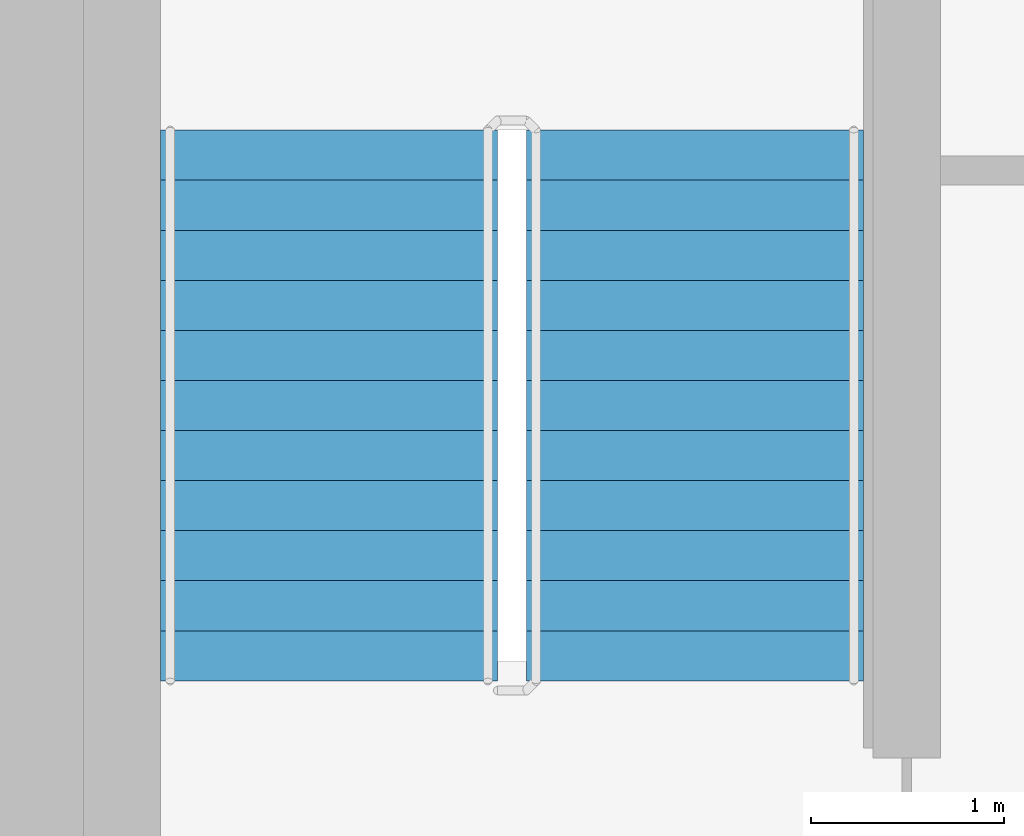
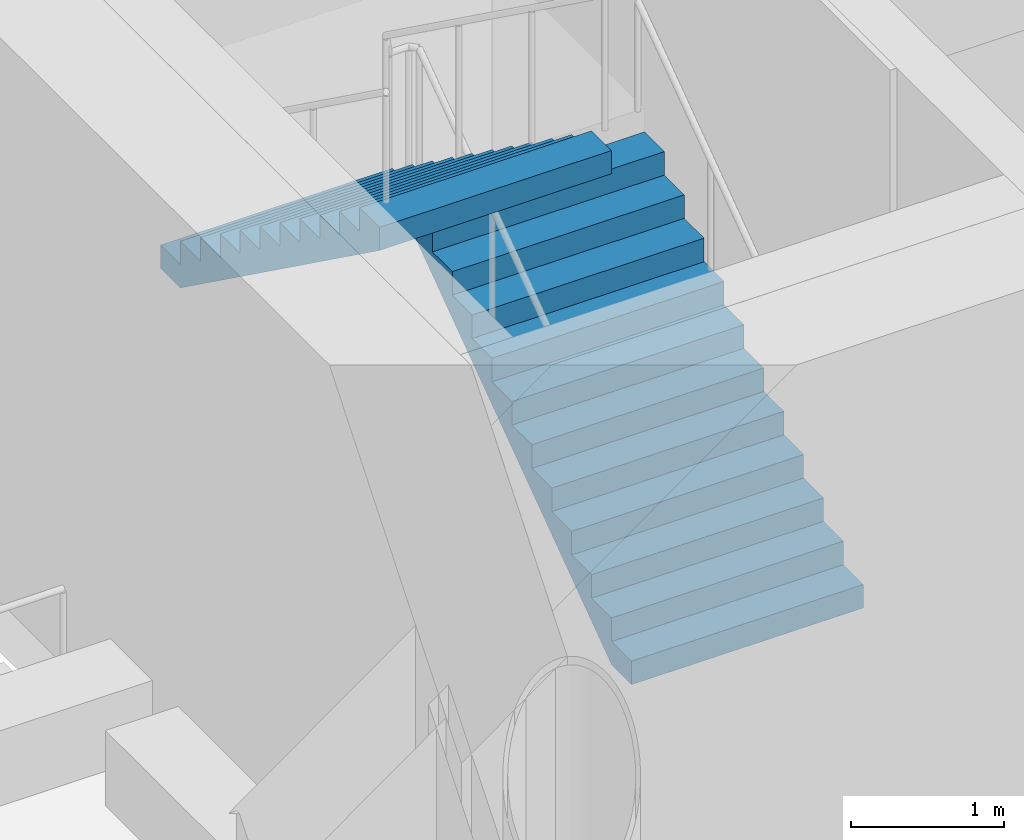
# One storey, part 21 of 26: 2 stair flights, 1 element without a shape of its own.
"""IFC4 building model written with IfcOpenShell, lengths in metres."""

from ifc_helpers import new_model, si_unit, direction, frame, origin, place, context, subcontext, project, spatial, faceted_brep, material, type_object, element, aggregate, save


model = new_model("IFC4")

# Units and contexts
model_context = context("Model", 3, precision=1e-05, world=origin(), true_north=direction((0.0, 1.0)))
body_context = subcontext(model_context, "Body", "Model", "MODEL_VIEW")
ifc_project = project(units=[si_unit("LENGTHUNIT", "METRE"), si_unit("AREAUNIT", "SQUARE_METRE"), si_unit("VOLUMEUNIT", "CUBIC_METRE"), si_unit("PLANEANGLEUNIT", "RADIAN"), si_unit("MASSUNIT", "GRAM", prefix="KILO")], contexts=[model_context])

# Site, building, storey
site_placement = place(None, origin())
site = spatial("IfcSite", under=ifc_project, at=site_placement, CompositionType="ELEMENT")
building_placement = place(site_placement, origin())
building = spatial("IfcBuilding", under=site, at=building_placement, Name="Ipe Terrace Towers", CompositionType="ELEMENT")
storey_placement = place(building_placement, frame((0.0, 0.0, 181.300048828125)))
storey = spatial("IfcBuildingStorey", under=building, at=storey_placement, Name="L50", CompositionType="ELEMENT", Elevation=181.300048828125)

# Stair, stair flights
ifc_material_1 = material(Name="Concrete C30/37", Category="concrete")
stair_type = type_object("IfcStairType", Name="Protected exit stair", PredefinedType="HALF_TURN_STAIR", material=ifc_material_1)
stair_placement = place(storey_placement, origin())
stair = element("IfcStair", 1, at=stair_placement, inside=storey, type_object=stair_type, Name="L50 Exit stair T2-C1", PredefinedType="HALF_TURN_STAIR")
ifc_material_2 = material(Name="Concrete C30/37", Category="concrete")
stair_flight_type = type_object("IfcStairFlightType", Name="Exit stair flight 1750", PredefinedType="STRAIGHT", material=ifc_material_2)
stair_flight_1_placement = place(storey_placement, frame((33.22509765625, 9.699951171875, 0.0), z_axis=(0.0, 0.0, 1.0), x_axis=(0.0, 1.0, 0.0)))
stair_flight_1 = element("IfcStairFlight", 2, at=stair_flight_1_placement, type_object=stair_flight_type, Name="T2-ST1 flight 1", NumberOfRisers=12, NumberOfTreads=11, PredefinedType="STRAIGHT", RiserHeight=0.1875, TreadLength=0.26, context=body_context, shape_type="Brep", body=[
    faceted_brep([(0.25634765625, -0.875, 0.0), (2.860107421875, -0.875, 1.877685546875), (2.860107421875, -0.875, 2.0625), (2.60009765625, -0.875, 2.0625), (2.60009765625, -0.875, 1.875), (2.340087890625, -0.875, 1.875), (2.340087890625, -0.875, 1.6875), (2.080078125, -0.875, 1.6875), (2.080078125, -0.875, 1.5), (1.820068359375, -0.875, 1.5), (1.820068359375, -0.875, 1.3125), (1.56005859375, -0.875, 1.3125), (1.56005859375, -0.875, 1.125), (1.300048828125, -0.875, 1.125), (1.300048828125, -0.875, 0.9375), (1.0400390625, -0.875, 0.9375), (1.0400390625, -0.875, 0.75), (0.780029296875, -0.875, 0.75), (0.780029296875, -0.875, 0.5625), (0.52001953125, -0.875, 0.5625), (0.52001953125, -0.875, 0.375), (0.260009765625, -0.875, 0.375), (0.260009765625, -0.875, 0.1875), (0.0, -0.875, 0.1875), (0.0, -0.875, 0.0), (0.0, 0.875, 0.0), (0.0, 0.875, 0.1875), (0.260009765625, 0.875, 0.1875), (0.260009765625, 0.875, 0.375), (0.52001953125, 0.875, 0.375), (0.52001953125, 0.875, 0.5625), (0.780029296875, 0.875, 0.5625), (0.780029296875, 0.875, 0.75), (1.0400390625, 0.875, 0.75), (1.0400390625, 0.875, 0.9375), (1.300048828125, 0.875, 0.9375), (1.300048828125, 0.875, 1.125), (1.56005859375, 0.875, 1.125), (1.56005859375, 0.875, 1.3125), (1.820068359375, 0.875, 1.3125), (1.820068359375, 0.875, 1.5), (2.080078125, 0.875, 1.5), (2.080078125, 0.875, 1.6875), (2.340087890625, 0.875, 1.6875), (2.340087890625, 0.875, 1.875), (2.60009765625, 0.875, 1.875), (2.60009765625, 0.875, 2.0625), (2.860107421875, 0.875, 2.0625), (2.860107421875, 0.875, 1.877685546875), (0.25634765625, 0.875, 0.0), (0.0, -0.300048828125, 0.1875), (0.0, -0.1201171875, 0.1875), (0.0, -0.06005859375, 0.1875), (0.0, -0.030029296875, 0.1875), (0.0, -0.010009765625, 0.1875), (0.0, 0.0, 0.1875), (0.0, 0.010009765625, 0.1875), (0.0, 0.030029296875, 0.1875), (0.0, 0.06005859375, 0.1875), (0.0, 0.1201171875, 0.1875), (0.0, 0.300048828125, 0.1875), (0.0, 0.300048828125, 0.0), (0.0, 0.1201171875, 0.0), (0.0, 0.06005859375, 0.0), (0.0, 0.030029296875, 0.0), (0.0, 0.010009765625, 0.0), (0.0, 0.0, 0.0), (0.0, -0.010009765625, 0.0), (0.0, -0.030029296875, 0.0), (0.0, -0.06005859375, 0.0), (0.0, -0.1201171875, 0.0), (0.0, -0.300048828125, 0.0), (0.260009765625, -0.300048828125, 0.1875), (0.260009765625, -0.1201171875, 0.1875), (0.260009765625, -0.06005859375, 0.1875), (0.260009765625, -0.030029296875, 0.1875), (0.260009765625, -0.010009765625, 0.1875), (0.260009765625, 0.0, 0.1875), (0.260009765625, 0.010009765625, 0.1875), (0.260009765625, 0.030029296875, 0.1875), (0.260009765625, 0.06005859375, 0.1875), (0.260009765625, 0.1201171875, 0.1875), (0.260009765625, 0.300048828125, 0.1875), (0.260009765625, -0.300048828125, 0.375), (0.260009765625, -0.1201171875, 0.375), (0.260009765625, -0.06005859375, 0.375), (0.260009765625, -0.030029296875, 0.375), (0.260009765625, -0.010009765625, 0.375), (0.260009765625, 0.0, 0.375), (0.260009765625, 0.010009765625, 0.375), (0.260009765625, 0.030029296875, 0.375), (0.260009765625, 0.06005859375, 0.375), (0.260009765625, 0.1201171875, 0.375), (0.260009765625, 0.300048828125, 0.375), (0.52001953125, -0.300048828125, 0.375), (0.52001953125, -0.1201171875, 0.375), (0.52001953125, -0.06005859375, 0.375), (0.52001953125, -0.030029296875, 0.375), (0.52001953125, -0.010009765625, 0.375), (0.52001953125, 0.0, 0.375), (0.52001953125, 0.010009765625, 0.375), (0.52001953125, 0.030029296875, 0.375), (0.52001953125, 0.06005859375, 0.375), (0.52001953125, 0.1201171875, 0.375), (0.52001953125, 0.300048828125, 0.375), (0.52001953125, -0.300048828125, 0.5625), (0.52001953125, -0.1201171875, 0.5625), (0.52001953125, -0.06005859375, 0.5625), (0.52001953125, -0.030029296875, 0.5625), (0.52001953125, -0.010009765625, 0.5625), (0.52001953125, 0.0, 0.5625), (0.52001953125, 0.010009765625, 0.5625), (0.52001953125, 0.030029296875, 0.5625), (0.52001953125, 0.06005859375, 0.5625), (0.52001953125, 0.1201171875, 0.5625), (0.52001953125, 0.300048828125, 0.5625), (0.780029296875, -0.300048828125, 0.5625), (0.780029296875, -0.1201171875, 0.5625), (0.780029296875, -0.06005859375, 0.5625), (0.780029296875, -0.030029296875, 0.5625), (0.780029296875, -0.010009765625, 0.5625), (0.780029296875, 0.0, 0.5625), (0.780029296875, 0.010009765625, 0.5625), (0.780029296875, 0.030029296875, 0.5625), (0.780029296875, 0.06005859375, 0.5625), (0.780029296875, 0.1201171875, 0.5625), (0.780029296875, 0.300048828125, 0.5625), (0.780029296875, -0.300048828125, 0.75), (0.780029296875, -0.1201171875, 0.75), (0.780029296875, -0.06005859375, 0.75), (0.780029296875, -0.030029296875, 0.75), (0.780029296875, -0.010009765625, 0.75), (0.780029296875, 0.0, 0.75), (0.780029296875, 0.010009765625, 0.75), (0.780029296875, 0.030029296875, 0.75), (0.780029296875, 0.06005859375, 0.75), (0.780029296875, 0.1201171875, 0.75), (0.780029296875, 0.300048828125, 0.75), (1.0400390625, -0.300048828125, 0.75), (1.0400390625, -0.1201171875, 0.75), (1.0400390625, -0.06005859375, 0.75), (1.0400390625, -0.030029296875, 0.75), (1.0400390625, -0.010009765625, 0.75), (1.0400390625, 0.0, 0.75), (1.0400390625, 0.010009765625, 0.75), (1.0400390625, 0.030029296875, 0.75), (1.0400390625, 0.06005859375, 0.75), (1.0400390625, 0.1201171875, 0.75), (1.0400390625, 0.300048828125, 0.75), (1.0400390625, -0.300048828125, 0.9375), (1.0400390625, -0.1201171875, 0.9375), (1.0400390625, -0.06005859375, 0.9375), (1.0400390625, -0.030029296875, 0.9375), (1.0400390625, -0.010009765625, 0.9375), (1.0400390625, 0.0, 0.9375), (1.0400390625, 0.010009765625, 0.9375), (1.0400390625, 0.030029296875, 0.9375), (1.0400390625, 0.06005859375, 0.9375), (1.0400390625, 0.1201171875, 0.9375), (1.0400390625, 0.300048828125, 0.9375), (1.300048828125, -0.300048828125, 0.9375), (1.300048828125, -0.1201171875, 0.9375), (1.300048828125, -0.06005859375, 0.9375), (1.300048828125, -0.030029296875, 0.9375), (1.300048828125, -0.010009765625, 0.9375), (1.300048828125, 0.0, 0.9375), (1.300048828125, 0.010009765625, 0.9375), (1.300048828125, 0.030029296875, 0.9375), (1.300048828125, 0.06005859375, 0.9375), (1.300048828125, 0.1201171875, 0.9375), (1.300048828125, 0.300048828125, 0.9375), (1.300048828125, -0.300048828125, 1.125), (1.300048828125, -0.1201171875, 1.125), (1.300048828125, -0.06005859375, 1.125), (1.300048828125, -0.030029296875, 1.125), (1.300048828125, -0.010009765625, 1.125), (1.300048828125, 0.0, 1.125), (1.300048828125, 0.010009765625, 1.125), (1.300048828125, 0.030029296875, 1.125), (1.300048828125, 0.06005859375, 1.125), (1.300048828125, 0.1201171875, 1.125), (1.300048828125, 0.300048828125, 1.125), (1.56005859375, -0.300048828125, 1.125), (1.56005859375, -0.1201171875, 1.125), (1.56005859375, -0.06005859375, 1.125), (1.56005859375, -0.030029296875, 1.125), (1.56005859375, -0.010009765625, 1.125), (1.56005859375, 0.0, 1.125), (1.56005859375, 0.010009765625, 1.125), (1.56005859375, 0.030029296875, 1.125), (1.56005859375, 0.06005859375, 1.125), (1.56005859375, 0.1201171875, 1.125), (1.56005859375, 0.300048828125, 1.125), (1.56005859375, -0.300048828125, 1.3125), (1.56005859375, -0.1201171875, 1.3125), (1.56005859375, -0.06005859375, 1.3125), (1.56005859375, -0.030029296875, 1.3125), (1.56005859375, -0.010009765625, 1.3125), (1.56005859375, 0.0, 1.3125), (1.56005859375, 0.010009765625, 1.3125), (1.56005859375, 0.030029296875, 1.3125), (1.56005859375, 0.06005859375, 1.3125), (1.56005859375, 0.1201171875, 1.3125), (1.56005859375, 0.300048828125, 1.3125), (1.820068359375, -0.300048828125, 1.3125), (1.820068359375, -0.1201171875, 1.3125), (1.820068359375, -0.06005859375, 1.3125), (1.820068359375, -0.030029296875, 1.3125), (1.820068359375, -0.010009765625, 1.3125), (1.820068359375, 0.0, 1.3125), (1.820068359375, 0.010009765625, 1.3125), (1.820068359375, 0.030029296875, 1.3125), (1.820068359375, 0.06005859375, 1.3125), (1.820068359375, 0.1201171875, 1.3125), (1.820068359375, 0.300048828125, 1.3125), (1.820068359375, -0.300048828125, 1.5), (1.820068359375, -0.1201171875, 1.5), (1.820068359375, -0.06005859375, 1.5), (1.820068359375, -0.030029296875, 1.5), (1.820068359375, -0.010009765625, 1.5), (1.820068359375, 0.0, 1.5), (1.820068359375, 0.010009765625, 1.5), (1.820068359375, 0.030029296875, 1.5), (1.820068359375, 0.06005859375, 1.5), (1.820068359375, 0.1201171875, 1.5), (1.820068359375, 0.300048828125, 1.5), (2.080078125, -0.300048828125, 1.5), (2.080078125, -0.1201171875, 1.5), (2.080078125, -0.06005859375, 1.5), (2.080078125, -0.030029296875, 1.5), (2.080078125, -0.010009765625, 1.5), (2.080078125, 0.0, 1.5), (2.080078125, 0.010009765625, 1.5), (2.080078125, 0.030029296875, 1.5), (2.080078125, 0.06005859375, 1.5), (2.080078125, 0.1201171875, 1.5), (2.080078125, 0.300048828125, 1.5), (2.080078125, -0.300048828125, 1.6875), (2.080078125, -0.1201171875, 1.6875), (2.080078125, -0.06005859375, 1.6875), (2.080078125, -0.030029296875, 1.6875), (2.080078125, -0.010009765625, 1.6875), (2.080078125, 0.0, 1.6875), (2.080078125, 0.010009765625, 1.6875), (2.080078125, 0.030029296875, 1.6875), (2.080078125, 0.06005859375, 1.6875), (2.080078125, 0.1201171875, 1.6875), (2.080078125, 0.300048828125, 1.6875), (2.340087890625, -0.300048828125, 1.6875), (2.340087890625, -0.1201171875, 1.6875), (2.340087890625, -0.06005859375, 1.6875), (2.340087890625, -0.030029296875, 1.6875), (2.340087890625, -0.010009765625, 1.6875), (2.340087890625, 0.0, 1.6875), (2.340087890625, 0.010009765625, 1.6875), (2.340087890625, 0.030029296875, 1.6875), (2.340087890625, 0.06005859375, 1.6875), (2.340087890625, 0.1201171875, 1.6875), (2.340087890625, 0.300048828125, 1.6875), (2.340087890625, -0.300048828125, 1.875), (2.340087890625, -0.1201171875, 1.875), (2.340087890625, -0.06005859375, 1.875), (2.340087890625, -0.030029296875, 1.875), (2.340087890625, -0.010009765625, 1.875), (2.340087890625, 0.0, 1.875), (2.340087890625, 0.010009765625, 1.875), (2.340087890625, 0.030029296875, 1.875), (2.340087890625, 0.06005859375, 1.875), (2.340087890625, 0.1201171875, 1.875), (2.340087890625, 0.300048828125, 1.875), (2.60009765625, -0.300048828125, 1.875), (2.60009765625, -0.1201171875, 1.875), (2.60009765625, -0.06005859375, 1.875), (2.60009765625, -0.030029296875, 1.875), (2.60009765625, -0.010009765625, 1.875), (2.60009765625, 0.0, 1.875), (2.60009765625, 0.010009765625, 1.875), (2.60009765625, 0.030029296875, 1.875), (2.60009765625, 0.06005859375, 1.875), (2.60009765625, 0.1201171875, 1.875), (2.60009765625, 0.300048828125, 1.875), (2.60009765625, -0.300048828125, 2.0625), (2.60009765625, -0.1201171875, 2.0625), (2.60009765625, -0.06005859375, 2.0625), (2.60009765625, -0.030029296875, 2.0625), (2.60009765625, -0.010009765625, 2.0625), (2.60009765625, 0.0, 2.0625), (2.60009765625, 0.010009765625, 2.0625), (2.60009765625, 0.030029296875, 2.0625), (2.60009765625, 0.06005859375, 2.0625), (2.60009765625, 0.1201171875, 2.0625), (2.60009765625, 0.300048828125, 2.0625), (2.860107421875, -0.300048828125, 2.0625), (2.860107421875, -0.1201171875, 2.0625), (2.860107421875, -0.06005859375, 2.0625), (2.860107421875, -0.030029296875, 2.0625), (2.860107421875, -0.010009765625, 2.0625), (2.860107421875, 0.0, 2.0625), (2.860107421875, 0.010009765625, 2.0625), (2.860107421875, 0.030029296875, 2.0625), (2.860107421875, 0.06005859375, 2.0625), (2.860107421875, 0.1201171875, 2.0625), (2.860107421875, 0.300048828125, 2.0625), (2.860107421875, -0.300048828125, 1.877685546875), (2.860107421875, -0.1201171875, 1.877685546875), (2.860107421875, -0.06005859375, 1.877685546875), (2.860107421875, -0.030029296875, 1.877685546875), (2.860107421875, -0.010009765625, 1.877685546875), (2.860107421875, 0.0, 1.877685546875), (2.860107421875, 0.010009765625, 1.877685546875), (2.860107421875, 0.030029296875, 1.877685546875), (2.860107421875, 0.06005859375, 1.877685546875), (2.860107421875, 0.1201171875, 1.877685546875), (2.860107421875, 0.300048828125, 1.877685546875), (0.25634765625, -0.300048828125, 0.0), (0.25634765625, -0.1201171875, 0.0), (0.25634765625, -0.06005859375, 0.0), (0.25634765625, -0.030029296875, 0.0), (0.25634765625, -0.010009765625, 0.0), (0.25634765625, 0.0, 0.0), (0.25634765625, 0.010009765625, 0.0), (0.25634765625, 0.030029296875, 0.0), (0.25634765625, 0.06005859375, 0.0), (0.25634765625, 0.1201171875, 0.0), (0.25634765625, 0.300048828125, 0.0)], [[[0, 1, 2, 3, 4, 5, 6, 7, 8, 9, 10, 11, 12, 13, 14, 15, 16, 17, 18, 19, 20, 21, 22, 23, 24]], [[25, 26, 27, 28, 29, 30, 31, 32, 33, 34, 35, 36, 37, 38, 39, 40, 41, 42, 43, 44, 45, 46, 47, 48, 49]], [[23, 50, 51, 52, 53, 54, 55, 56, 57, 58, 59, 60, 26, 25, 61, 62, 63, 64, 65, 66, 67, 68, 69, 70, 71, 24]], [[22, 72, 73, 74, 75, 76, 77, 78, 79, 80, 81, 82, 27, 26, 60, 59, 58, 57, 56, 55, 54, 53, 52, 51, 50, 23]], [[21, 83, 84, 85, 86, 87, 88, 89, 90, 91, 92, 93, 28, 27, 82, 81, 80, 79, 78, 77, 76, 75, 74, 73, 72, 22]], [[20, 94, 95, 96, 97, 98, 99, 100, 101, 102, 103, 104, 29, 28, 93, 92, 91, 90, 89, 88, 87, 86, 85, 84, 83, 21]], [[19, 105, 106, 107, 108, 109, 110, 111, 112, 113, 114, 115, 30, 29, 104, 103, 102, 101, 100, 99, 98, 97, 96, 95, 94, 20]], [[18, 116, 117, 118, 119, 120, 121, 122, 123, 124, 125, 126, 31, 30, 115, 114, 113, 112, 111, 110, 109, 108, 107, 106, 105, 19]], [[17, 127, 128, 129, 130, 131, 132, 133, 134, 135, 136, 137, 32, 31, 126, 125, 124, 123, 122, 121, 120, 119, 118, 117, 116, 18]], [[16, 138, 139, 140, 141, 142, 143, 144, 145, 146, 147, 148, 33, 32, 137, 136, 135, 134, 133, 132, 131, 130, 129, 128, 127, 17]], [[15, 149, 150, 151, 152, 153, 154, 155, 156, 157, 158, 159, 34, 33, 148, 147, 146, 145, 144, 143, 142, 141, 140, 139, 138, 16]], [[14, 160, 161, 162, 163, 164, 165, 166, 167, 168, 169, 170, 35, 34, 159, 158, 157, 156, 155, 154, 153, 152, 151, 150, 149, 15]], [[13, 171, 172, 173, 174, 175, 176, 177, 178, 179, 180, 181, 36, 35, 170, 169, 168, 167, 166, 165, 164, 163, 162, 161, 160, 14]], [[12, 182, 183, 184, 185, 186, 187, 188, 189, 190, 191, 192, 37, 36, 181, 180, 179, 178, 177, 176, 175, 174, 173, 172, 171, 13]], [[11, 193, 194, 195, 196, 197, 198, 199, 200, 201, 202, 203, 38, 37, 192, 191, 190, 189, 188, 187, 186, 185, 184, 183, 182, 12]], [[10, 204, 205, 206, 207, 208, 209, 210, 211, 212, 213, 214, 39, 38, 203, 202, 201, 200, 199, 198, 197, 196, 195, 194, 193, 11]], [[9, 215, 216, 217, 218, 219, 220, 221, 222, 223, 224, 225, 40, 39, 214, 213, 212, 211, 210, 209, 208, 207, 206, 205, 204, 10]], [[8, 226, 227, 228, 229, 230, 231, 232, 233, 234, 235, 236, 41, 40, 225, 224, 223, 222, 221, 220, 219, 218, 217, 216, 215, 9]], [[7, 237, 238, 239, 240, 241, 242, 243, 244, 245, 246, 247, 42, 41, 236, 235, 234, 233, 232, 231, 230, 229, 228, 227, 226, 8]], [[6, 248, 249, 250, 251, 252, 253, 254, 255, 256, 257, 258, 43, 42, 247, 246, 245, 244, 243, 242, 241, 240, 239, 238, 237, 7]], [[5, 259, 260, 261, 262, 263, 264, 265, 266, 267, 268, 269, 44, 43, 258, 257, 256, 255, 254, 253, 252, 251, 250, 249, 248, 6]], [[4, 270, 271, 272, 273, 274, 275, 276, 277, 278, 279, 280, 45, 44, 269, 268, 267, 266, 265, 264, 263, 262, 261, 260, 259, 5]], [[3, 281, 282, 283, 284, 285, 286, 287, 288, 289, 290, 291, 46, 45, 280, 279, 278, 277, 276, 275, 274, 273, 272, 271, 270, 4]], [[2, 292, 293, 294, 295, 296, 297, 298, 299, 300, 301, 302, 47, 46, 291, 290, 289, 288, 287, 286, 285, 284, 283, 282, 281, 3]], [[1, 303, 304, 305, 306, 307, 308, 309, 310, 311, 312, 313, 48, 47, 302, 301, 300, 299, 298, 297, 296, 295, 294, 293, 292, 2]], [[0, 314, 315, 316, 317, 318, 319, 320, 321, 322, 323, 324, 49, 48, 313, 312, 311, 310, 309, 308, 307, 306, 305, 304, 303, 1]], [[24, 71, 70, 69, 68, 67, 66, 65, 64, 63, 62, 61, 25, 49, 324, 323, 322, 321, 320, 319, 318, 317, 316, 315, 314, 0]]]),
])
stair_flight_2_placement = place(storey_placement, frame((31.324951171875, 12.56005859375, 2.25), z_axis=(0.0, 0.0, 1.0), x_axis=(0.0, -1.0, 0.0)))
stair_flight_2 = element("IfcStairFlight", 3, at=stair_flight_2_placement, type_object=stair_flight_type, Name="T2-ST1 flight 2", NumberOfRisers=12, NumberOfTreads=11, PredefinedType="STRAIGHT", RiserHeight=0.1875, TreadLength=0.26, context=body_context, shape_type="Brep", body=[
    faceted_brep([(0.25634765625, -0.875, 0.0), (2.860107421875, -0.875, 1.877685546875), (2.860107421875, -0.875, 2.0625), (2.60009765625, -0.875, 2.0625), (2.60009765625, -0.875, 1.875), (2.340087890625, -0.875, 1.875), (2.340087890625, -0.875, 1.6875), (2.080078125, -0.875, 1.6875), (2.080078125, -0.875, 1.5), (1.820068359375, -0.875, 1.5), (1.820068359375, -0.875, 1.3125), (1.56005859375, -0.875, 1.3125), (1.56005859375, -0.875, 1.125), (1.300048828125, -0.875, 1.125), (1.300048828125, -0.875, 0.9375), (1.0400390625, -0.875, 0.9375), (1.0400390625, -0.875, 0.75), (0.780029296875, -0.875, 0.75), (0.780029296875, -0.875, 0.5625), (0.52001953125, -0.875, 0.5625), (0.52001953125, -0.875, 0.375), (0.260009765625, -0.875, 0.375), (0.260009765625, -0.875, 0.1875), (0.0, -0.875, 0.1875), (0.0, -0.875, 0.0), (0.0, 0.875, 0.0), (0.0, 0.875, 0.1875), (0.260009765625, 0.875, 0.1875), (0.260009765625, 0.875, 0.375), (0.52001953125, 0.875, 0.375), (0.52001953125, 0.875, 0.5625), (0.780029296875, 0.875, 0.5625), (0.780029296875, 0.875, 0.75), (1.0400390625, 0.875, 0.75), (1.0400390625, 0.875, 0.9375), (1.300048828125, 0.875, 0.9375), (1.300048828125, 0.875, 1.125), (1.56005859375, 0.875, 1.125), (1.56005859375, 0.875, 1.3125), (1.820068359375, 0.875, 1.3125), (1.820068359375, 0.875, 1.5), (2.080078125, 0.875, 1.5), (2.080078125, 0.875, 1.6875), (2.340087890625, 0.875, 1.6875), (2.340087890625, 0.875, 1.875), (2.60009765625, 0.875, 1.875), (2.60009765625, 0.875, 2.0625), (2.860107421875, 0.875, 2.0625), (2.860107421875, 0.875, 1.877685546875), (0.25634765625, 0.875, 0.0), (0.0, -0.300048828125, 0.1875), (0.0, -0.1201171875, 0.1875), (0.0, -0.06005859375, 0.1875), (0.0, -0.030029296875, 0.1875), (0.0, -0.010009765625, 0.1875), (0.0, 0.0, 0.1875), (0.0, 0.010009765625, 0.1875), (0.0, 0.030029296875, 0.1875), (0.0, 0.06005859375, 0.1875), (0.0, 0.1201171875, 0.1875), (0.0, 0.300048828125, 0.1875), (0.0, 0.300048828125, 0.0), (0.0, 0.1201171875, 0.0), (0.0, 0.06005859375, 0.0), (0.0, 0.030029296875, 0.0), (0.0, 0.010009765625, 0.0), (0.0, 0.0, 0.0), (0.0, -0.010009765625, 0.0), (0.0, -0.030029296875, 0.0), (0.0, -0.06005859375, 0.0), (0.0, -0.1201171875, 0.0), (0.0, -0.300048828125, 0.0), (0.260009765625, -0.300048828125, 0.1875), (0.260009765625, -0.1201171875, 0.1875), (0.260009765625, -0.06005859375, 0.1875), (0.260009765625, -0.030029296875, 0.1875), (0.260009765625, -0.010009765625, 0.1875), (0.260009765625, 0.0, 0.1875), (0.260009765625, 0.010009765625, 0.1875), (0.260009765625, 0.030029296875, 0.1875), (0.260009765625, 0.06005859375, 0.1875), (0.260009765625, 0.1201171875, 0.1875), (0.260009765625, 0.300048828125, 0.1875), (0.260009765625, -0.300048828125, 0.375), (0.260009765625, -0.1201171875, 0.375), (0.260009765625, -0.06005859375, 0.375), (0.260009765625, -0.030029296875, 0.375), (0.260009765625, -0.010009765625, 0.375), (0.260009765625, 0.0, 0.375), (0.260009765625, 0.010009765625, 0.375), (0.260009765625, 0.030029296875, 0.375), (0.260009765625, 0.06005859375, 0.375), (0.260009765625, 0.1201171875, 0.375), (0.260009765625, 0.300048828125, 0.375), (0.52001953125, -0.300048828125, 0.375), (0.52001953125, -0.1201171875, 0.375), (0.52001953125, -0.06005859375, 0.375), (0.52001953125, -0.030029296875, 0.375), (0.52001953125, -0.010009765625, 0.375), (0.52001953125, 0.0, 0.375), (0.52001953125, 0.010009765625, 0.375), (0.52001953125, 0.030029296875, 0.375), (0.52001953125, 0.06005859375, 0.375), (0.52001953125, 0.1201171875, 0.375), (0.52001953125, 0.300048828125, 0.375), (0.52001953125, -0.300048828125, 0.5625), (0.52001953125, -0.1201171875, 0.5625), (0.52001953125, -0.06005859375, 0.5625), (0.52001953125, -0.030029296875, 0.5625), (0.52001953125, -0.010009765625, 0.5625), (0.52001953125, 0.0, 0.5625), (0.52001953125, 0.010009765625, 0.5625), (0.52001953125, 0.030029296875, 0.5625), (0.52001953125, 0.06005859375, 0.5625), (0.52001953125, 0.1201171875, 0.5625), (0.52001953125, 0.300048828125, 0.5625), (0.780029296875, -0.300048828125, 0.5625), (0.780029296875, -0.1201171875, 0.5625), (0.780029296875, -0.06005859375, 0.5625), (0.780029296875, -0.030029296875, 0.5625), (0.780029296875, -0.010009765625, 0.5625), (0.780029296875, 0.0, 0.5625), (0.780029296875, 0.010009765625, 0.5625), (0.780029296875, 0.030029296875, 0.5625), (0.780029296875, 0.06005859375, 0.5625), (0.780029296875, 0.1201171875, 0.5625), (0.780029296875, 0.300048828125, 0.5625), (0.780029296875, -0.300048828125, 0.75), (0.780029296875, -0.1201171875, 0.75), (0.780029296875, -0.06005859375, 0.75), (0.780029296875, -0.030029296875, 0.75), (0.780029296875, -0.010009765625, 0.75), (0.780029296875, 0.0, 0.75), (0.780029296875, 0.010009765625, 0.75), (0.780029296875, 0.030029296875, 0.75), (0.780029296875, 0.06005859375, 0.75), (0.780029296875, 0.1201171875, 0.75), (0.780029296875, 0.300048828125, 0.75), (1.0400390625, -0.300048828125, 0.75), (1.0400390625, -0.1201171875, 0.75), (1.0400390625, -0.06005859375, 0.75), (1.0400390625, -0.030029296875, 0.75), (1.0400390625, -0.010009765625, 0.75), (1.0400390625, 0.0, 0.75), (1.0400390625, 0.010009765625, 0.75), (1.0400390625, 0.030029296875, 0.75), (1.0400390625, 0.06005859375, 0.75), (1.0400390625, 0.1201171875, 0.75), (1.0400390625, 0.300048828125, 0.75), (1.0400390625, -0.300048828125, 0.9375), (1.0400390625, -0.1201171875, 0.9375), (1.0400390625, -0.06005859375, 0.9375), (1.0400390625, -0.030029296875, 0.9375), (1.0400390625, -0.010009765625, 0.9375), (1.0400390625, 0.0, 0.9375), (1.0400390625, 0.010009765625, 0.9375), (1.0400390625, 0.030029296875, 0.9375), (1.0400390625, 0.06005859375, 0.9375), (1.0400390625, 0.1201171875, 0.9375), (1.0400390625, 0.300048828125, 0.9375), (1.300048828125, -0.300048828125, 0.9375), (1.300048828125, -0.1201171875, 0.9375), (1.300048828125, -0.06005859375, 0.9375), (1.300048828125, -0.030029296875, 0.9375), (1.300048828125, -0.010009765625, 0.9375), (1.300048828125, 0.0, 0.9375), (1.300048828125, 0.010009765625, 0.9375), (1.300048828125, 0.030029296875, 0.9375), (1.300048828125, 0.06005859375, 0.9375), (1.300048828125, 0.1201171875, 0.9375), (1.300048828125, 0.300048828125, 0.9375), (1.300048828125, -0.300048828125, 1.125), (1.300048828125, -0.1201171875, 1.125), (1.300048828125, -0.06005859375, 1.125), (1.300048828125, -0.030029296875, 1.125), (1.300048828125, -0.010009765625, 1.125), (1.300048828125, 0.0, 1.125), (1.300048828125, 0.010009765625, 1.125), (1.300048828125, 0.030029296875, 1.125), (1.300048828125, 0.06005859375, 1.125), (1.300048828125, 0.1201171875, 1.125), (1.300048828125, 0.300048828125, 1.125), (1.56005859375, -0.300048828125, 1.125), (1.56005859375, -0.1201171875, 1.125), (1.56005859375, -0.06005859375, 1.125), (1.56005859375, -0.030029296875, 1.125), (1.56005859375, -0.010009765625, 1.125), (1.56005859375, 0.0, 1.125), (1.56005859375, 0.010009765625, 1.125), (1.56005859375, 0.030029296875, 1.125), (1.56005859375, 0.06005859375, 1.125), (1.56005859375, 0.1201171875, 1.125), (1.56005859375, 0.300048828125, 1.125), (1.56005859375, -0.300048828125, 1.3125), (1.56005859375, -0.1201171875, 1.3125), (1.56005859375, -0.06005859375, 1.3125), (1.56005859375, -0.030029296875, 1.3125), (1.56005859375, -0.010009765625, 1.3125), (1.56005859375, 0.0, 1.3125), (1.56005859375, 0.010009765625, 1.3125), (1.56005859375, 0.030029296875, 1.3125), (1.56005859375, 0.06005859375, 1.3125), (1.56005859375, 0.1201171875, 1.3125), (1.56005859375, 0.300048828125, 1.3125), (1.820068359375, -0.300048828125, 1.3125), (1.820068359375, -0.1201171875, 1.3125), (1.820068359375, -0.06005859375, 1.3125), (1.820068359375, -0.030029296875, 1.3125), (1.820068359375, -0.010009765625, 1.3125), (1.820068359375, 0.0, 1.3125), (1.820068359375, 0.010009765625, 1.3125), (1.820068359375, 0.030029296875, 1.3125), (1.820068359375, 0.06005859375, 1.3125), (1.820068359375, 0.1201171875, 1.3125), (1.820068359375, 0.300048828125, 1.3125), (1.820068359375, -0.300048828125, 1.5), (1.820068359375, -0.1201171875, 1.5), (1.820068359375, -0.06005859375, 1.5), (1.820068359375, -0.030029296875, 1.5), (1.820068359375, -0.010009765625, 1.5), (1.820068359375, 0.0, 1.5), (1.820068359375, 0.010009765625, 1.5), (1.820068359375, 0.030029296875, 1.5), (1.820068359375, 0.06005859375, 1.5), (1.820068359375, 0.1201171875, 1.5), (1.820068359375, 0.300048828125, 1.5), (2.080078125, -0.300048828125, 1.5), (2.080078125, -0.1201171875, 1.5), (2.080078125, -0.06005859375, 1.5), (2.080078125, -0.030029296875, 1.5), (2.080078125, -0.010009765625, 1.5), (2.080078125, 0.0, 1.5), (2.080078125, 0.010009765625, 1.5), (2.080078125, 0.030029296875, 1.5), (2.080078125, 0.06005859375, 1.5), (2.080078125, 0.1201171875, 1.5), (2.080078125, 0.300048828125, 1.5), (2.080078125, -0.300048828125, 1.6875), (2.080078125, -0.1201171875, 1.6875), (2.080078125, -0.06005859375, 1.6875), (2.080078125, -0.030029296875, 1.6875), (2.080078125, -0.010009765625, 1.6875), (2.080078125, 0.0, 1.6875), (2.080078125, 0.010009765625, 1.6875), (2.080078125, 0.030029296875, 1.6875), (2.080078125, 0.06005859375, 1.6875), (2.080078125, 0.1201171875, 1.6875), (2.080078125, 0.300048828125, 1.6875), (2.340087890625, -0.300048828125, 1.6875), (2.340087890625, -0.1201171875, 1.6875), (2.340087890625, -0.06005859375, 1.6875), (2.340087890625, -0.030029296875, 1.6875), (2.340087890625, -0.010009765625, 1.6875), (2.340087890625, 0.0, 1.6875), (2.340087890625, 0.010009765625, 1.6875), (2.340087890625, 0.030029296875, 1.6875), (2.340087890625, 0.06005859375, 1.6875), (2.340087890625, 0.1201171875, 1.6875), (2.340087890625, 0.300048828125, 1.6875), (2.340087890625, -0.300048828125, 1.875), (2.340087890625, -0.1201171875, 1.875), (2.340087890625, -0.06005859375, 1.875), (2.340087890625, -0.030029296875, 1.875), (2.340087890625, -0.010009765625, 1.875), (2.340087890625, 0.0, 1.875), (2.340087890625, 0.010009765625, 1.875), (2.340087890625, 0.030029296875, 1.875), (2.340087890625, 0.06005859375, 1.875), (2.340087890625, 0.1201171875, 1.875), (2.340087890625, 0.300048828125, 1.875), (2.60009765625, -0.300048828125, 1.875), (2.60009765625, -0.1201171875, 1.875), (2.60009765625, -0.06005859375, 1.875), (2.60009765625, -0.030029296875, 1.875), (2.60009765625, -0.010009765625, 1.875), (2.60009765625, 0.0, 1.875), (2.60009765625, 0.010009765625, 1.875), (2.60009765625, 0.030029296875, 1.875), (2.60009765625, 0.06005859375, 1.875), (2.60009765625, 0.1201171875, 1.875), (2.60009765625, 0.300048828125, 1.875), (2.60009765625, -0.300048828125, 2.0625), (2.60009765625, -0.1201171875, 2.0625), (2.60009765625, -0.06005859375, 2.0625), (2.60009765625, -0.030029296875, 2.0625), (2.60009765625, -0.010009765625, 2.0625), (2.60009765625, 0.0, 2.0625), (2.60009765625, 0.010009765625, 2.0625), (2.60009765625, 0.030029296875, 2.0625), (2.60009765625, 0.06005859375, 2.0625), (2.60009765625, 0.1201171875, 2.0625), (2.60009765625, 0.300048828125, 2.0625), (2.860107421875, -0.300048828125, 2.0625), (2.860107421875, -0.1201171875, 2.0625), (2.860107421875, -0.06005859375, 2.0625), (2.860107421875, -0.030029296875, 2.0625), (2.860107421875, -0.010009765625, 2.0625), (2.860107421875, 0.0, 2.0625), (2.860107421875, 0.010009765625, 2.0625), (2.860107421875, 0.030029296875, 2.0625), (2.860107421875, 0.06005859375, 2.0625), (2.860107421875, 0.1201171875, 2.0625), (2.860107421875, 0.300048828125, 2.0625), (2.860107421875, -0.300048828125, 1.877685546875), (2.860107421875, -0.1201171875, 1.877685546875), (2.860107421875, -0.06005859375, 1.877685546875), (2.860107421875, -0.030029296875, 1.877685546875), (2.860107421875, -0.010009765625, 1.877685546875), (2.860107421875, 0.0, 1.877685546875), (2.860107421875, 0.010009765625, 1.877685546875), (2.860107421875, 0.030029296875, 1.877685546875), (2.860107421875, 0.06005859375, 1.877685546875), (2.860107421875, 0.1201171875, 1.877685546875), (2.860107421875, 0.300048828125, 1.877685546875), (0.25634765625, -0.300048828125, 0.0), (0.25634765625, -0.1201171875, 0.0), (0.25634765625, -0.06005859375, 0.0), (0.25634765625, -0.030029296875, 0.0), (0.25634765625, -0.010009765625, 0.0), (0.25634765625, 0.0, 0.0), (0.25634765625, 0.010009765625, 0.0), (0.25634765625, 0.030029296875, 0.0), (0.25634765625, 0.06005859375, 0.0), (0.25634765625, 0.1201171875, 0.0), (0.25634765625, 0.300048828125, 0.0)], [[[0, 1, 2, 3, 4, 5, 6, 7, 8, 9, 10, 11, 12, 13, 14, 15, 16, 17, 18, 19, 20, 21, 22, 23, 24]], [[25, 26, 27, 28, 29, 30, 31, 32, 33, 34, 35, 36, 37, 38, 39, 40, 41, 42, 43, 44, 45, 46, 47, 48, 49]], [[23, 50, 51, 52, 53, 54, 55, 56, 57, 58, 59, 60, 26, 25, 61, 62, 63, 64, 65, 66, 67, 68, 69, 70, 71, 24]], [[22, 72, 73, 74, 75, 76, 77, 78, 79, 80, 81, 82, 27, 26, 60, 59, 58, 57, 56, 55, 54, 53, 52, 51, 50, 23]], [[21, 83, 84, 85, 86, 87, 88, 89, 90, 91, 92, 93, 28, 27, 82, 81, 80, 79, 78, 77, 76, 75, 74, 73, 72, 22]], [[20, 94, 95, 96, 97, 98, 99, 100, 101, 102, 103, 104, 29, 28, 93, 92, 91, 90, 89, 88, 87, 86, 85, 84, 83, 21]], [[19, 105, 106, 107, 108, 109, 110, 111, 112, 113, 114, 115, 30, 29, 104, 103, 102, 101, 100, 99, 98, 97, 96, 95, 94, 20]], [[18, 116, 117, 118, 119, 120, 121, 122, 123, 124, 125, 126, 31, 30, 115, 114, 113, 112, 111, 110, 109, 108, 107, 106, 105, 19]], [[17, 127, 128, 129, 130, 131, 132, 133, 134, 135, 136, 137, 32, 31, 126, 125, 124, 123, 122, 121, 120, 119, 118, 117, 116, 18]], [[16, 138, 139, 140, 141, 142, 143, 144, 145, 146, 147, 148, 33, 32, 137, 136, 135, 134, 133, 132, 131, 130, 129, 128, 127, 17]], [[15, 149, 150, 151, 152, 153, 154, 155, 156, 157, 158, 159, 34, 33, 148, 147, 146, 145, 144, 143, 142, 141, 140, 139, 138, 16]], [[14, 160, 161, 162, 163, 164, 165, 166, 167, 168, 169, 170, 35, 34, 159, 158, 157, 156, 155, 154, 153, 152, 151, 150, 149, 15]], [[13, 171, 172, 173, 174, 175, 176, 177, 178, 179, 180, 181, 36, 35, 170, 169, 168, 167, 166, 165, 164, 163, 162, 161, 160, 14]], [[12, 182, 183, 184, 185, 186, 187, 188, 189, 190, 191, 192, 37, 36, 181, 180, 179, 178, 177, 176, 175, 174, 173, 172, 171, 13]], [[11, 193, 194, 195, 196, 197, 198, 199, 200, 201, 202, 203, 38, 37, 192, 191, 190, 189, 188, 187, 186, 185, 184, 183, 182, 12]], [[10, 204, 205, 206, 207, 208, 209, 210, 211, 212, 213, 214, 39, 38, 203, 202, 201, 200, 199, 198, 197, 196, 195, 194, 193, 11]], [[9, 215, 216, 217, 218, 219, 220, 221, 222, 223, 224, 225, 40, 39, 214, 213, 212, 211, 210, 209, 208, 207, 206, 205, 204, 10]], [[8, 226, 227, 228, 229, 230, 231, 232, 233, 234, 235, 236, 41, 40, 225, 224, 223, 222, 221, 220, 219, 218, 217, 216, 215, 9]], [[7, 237, 238, 239, 240, 241, 242, 243, 244, 245, 246, 247, 42, 41, 236, 235, 234, 233, 232, 231, 230, 229, 228, 227, 226, 8]], [[6, 248, 249, 250, 251, 252, 253, 254, 255, 256, 257, 258, 43, 42, 247, 246, 245, 244, 243, 242, 241, 240, 239, 238, 237, 7]], [[5, 259, 260, 261, 262, 263, 264, 265, 266, 267, 268, 269, 44, 43, 258, 257, 256, 255, 254, 253, 252, 251, 250, 249, 248, 6]], [[4, 270, 271, 272, 273, 274, 275, 276, 277, 278, 279, 280, 45, 44, 269, 268, 267, 266, 265, 264, 263, 262, 261, 260, 259, 5]], [[3, 281, 282, 283, 284, 285, 286, 287, 288, 289, 290, 291, 46, 45, 280, 279, 278, 277, 276, 275, 274, 273, 272, 271, 270, 4]], [[2, 292, 293, 294, 295, 296, 297, 298, 299, 300, 301, 302, 47, 46, 291, 290, 289, 288, 287, 286, 285, 284, 283, 282, 281, 3]], [[1, 303, 304, 305, 306, 307, 308, 309, 310, 311, 312, 313, 48, 47, 302, 301, 300, 299, 298, 297, 296, 295, 294, 293, 292, 2]], [[0, 314, 315, 316, 317, 318, 319, 320, 321, 322, 323, 324, 49, 48, 313, 312, 311, 310, 309, 308, 307, 306, 305, 304, 303, 1]], [[24, 71, 70, 69, 68, 67, 66, 65, 64, 63, 62, 61, 25, 49, 324, 323, 322, 321, 320, 319, 318, 317, 316, 315, 314, 0]]]),
])
aggregate(stair, [stair_flight_1, stair_flight_2])

save(model, "model.ifc")
